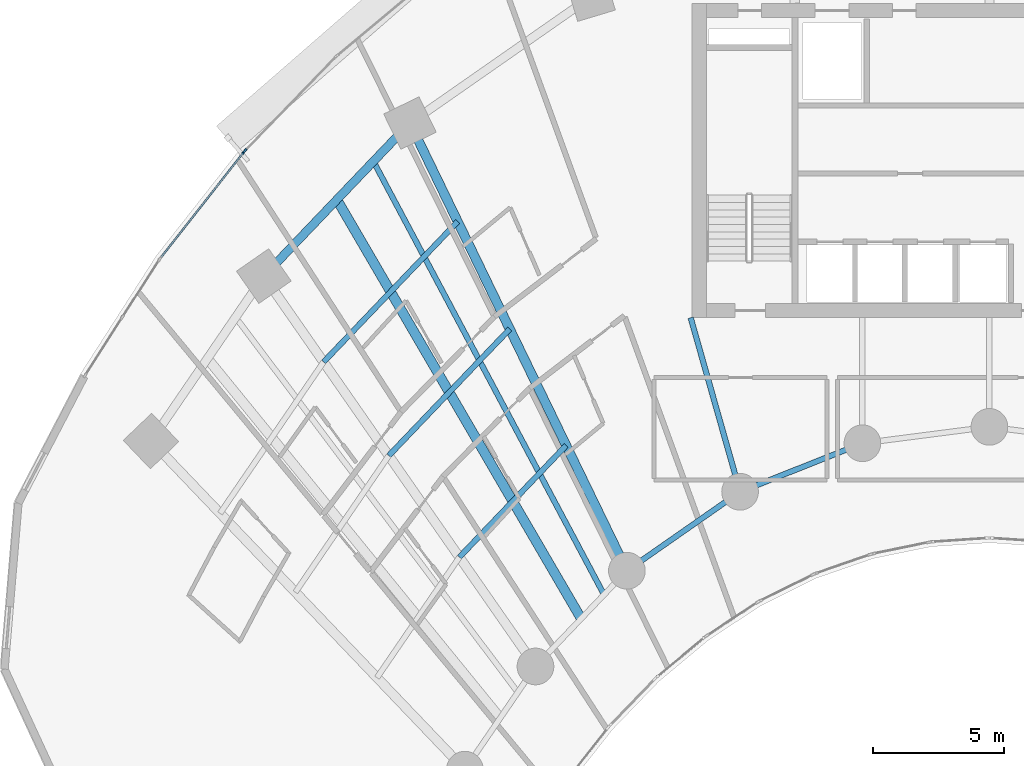
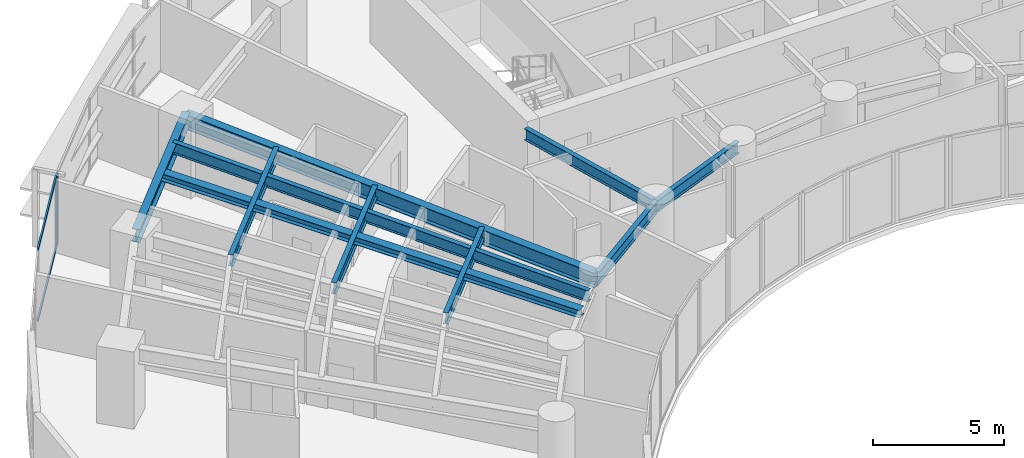
# One storey, part 3 of 18: 10 beams, 4 members, 2 elements without a shape of their own.
"""IFC4 building model written with IfcOpenShell, lengths in metres."""

import ifcopenshell
import ifcopenshell.guid

model = None  # the IFC model being written
_history = None  # IfcOwnerHistory: only IFC2X3 demands one
_inside = {}  # id of a spatial element -> (the spatial element, [elements in it])
_under = {}  # id of a project, library or spatial element -> (it, [spatial elements below it])
_declared = {}  # id of a project -> (the project, [libraries it declares])
_typed = {}  # id of a type object -> (the type object, [elements of that type])
_made_of = {}  # id of a material, layer set ... -> (it, [elements and type objects made of it])


def new_model(schema):
    """Start an empty IFC model of exactly this schema.

    Asked for "IFC4X3", IfcOpenShell would pick the latest addendum, in which some entities
    have other attributes; the version numbers below select the first issue.
    IFC2X3 requires an IfcOwnerHistory on every rooted entity: one is made here for all.
    """
    global model, _history
    if schema == "IFC4X3":
        model = ifcopenshell.file(schema_version=(4, 3, 0, 0))
    else:
        model = ifcopenshell.file(schema=schema)
    _inside.clear()
    _under.clear()
    _declared.clear()
    _typed.clear()
    _made_of.clear()
    _history = None
    if model.schema == "IFC2X3":
        org = make("IfcOrganization", Name="unknown")
        user = make(
            "IfcPersonAndOrganization",
            ThePerson=make("IfcPerson", FamilyName="unknown"),
            TheOrganization=org,
        )
        app = make(
            "IfcApplication",
            ApplicationDeveloper=org,
            Version="unknown",
            ApplicationFullName="unknown",
            ApplicationIdentifier="unknown",
        )
        _history = make(
            "IfcOwnerHistory",
            OwningUser=user,
            OwningApplication=app,
            ChangeAction="ADDED",
            CreationDate=0,
        )
    return model


def make(cls, **values):
    """One entity of the class cls with the attributes given. An attribute that is None is left unset."""
    return model.create_entity(
        cls, **{name: value for name, value in values.items() if value is not None}
    )


def rooted(cls, **values):
    """An entity with a GlobalId (a new one), such as an element, a storey or a relation."""
    return make(cls, GlobalId=ifcopenshell.guid.new(), OwnerHistory=_history, **values)


def si_unit(unit_type, name, prefix=None):
    """IfcSIUnit, for example si_unit("LENGTHUNIT", "METRE", prefix="MILLI")."""
    return make("IfcSIUnit", UnitType=unit_type, Prefix=prefix, Name=name)


def assignment(units):
    """IfcUnitAssignment: the units of a project."""
    return None if units is None else make("IfcUnitAssignment", Units=units)


def point(xyz):
    """IfcCartesianPoint."""
    return None if xyz is None else make("IfcCartesianPoint", Coordinates=xyz)


def direction(xyz):
    """IfcDirection."""
    return None if xyz is None else make("IfcDirection", DirectionRatios=xyz)


def frame(location, z_axis=None, x_axis=None):
    """IfcAxis2Placement3D, a coordinate frame: its origin and axes. An axis left out is left unset."""
    return make(
        "IfcAxis2Placement3D",
        Location=point(location),
        Axis=direction(z_axis),
        RefDirection=direction(x_axis),
    )


def frame_2d(location, x_axis=None):
    """IfcAxis2Placement2D, a coordinate frame in the plane: its origin and x axis."""
    return make(
        "IfcAxis2Placement2D", Location=point(location), RefDirection=direction(x_axis)
    )


def origin():
    """The frame at (0, 0, 0) with its axes left unset."""
    return frame((0.0, 0.0, 0.0))


def origin_2d():
    """The frame at (0, 0) in the plane with its x axis left unset."""
    return frame_2d((0.0, 0.0))


def place(relative_to, where):
    """IfcLocalPlacement: puts the frame where relative to a parent placement (None: the world)."""
    return make(
        "IfcLocalPlacement", PlacementRelTo=relative_to, RelativePlacement=where
    )


def context(
    kind, dimensions, precision=None, world=None, true_north=None, identifier=None
):
    """IfcGeometricRepresentationContext, for example the 3D "Model" context."""
    return make(
        "IfcGeometricRepresentationContext",
        ContextIdentifier=identifier,
        ContextType=kind,
        CoordinateSpaceDimension=dimensions,
        Precision=precision,
        WorldCoordinateSystem=world,
        TrueNorth=true_north,
    )


def subcontext(parent, identifier, kind, view, scale=None):
    """IfcGeometricRepresentationSubContext, for example "Body" below "Model"."""
    return make(
        "IfcGeometricRepresentationSubContext",
        ContextIdentifier=identifier,
        ContextType=kind,
        ParentContext=parent,
        TargetScale=scale,
        TargetView=view,
    )


def project(units=None, contexts=None):
    """IfcProject with its units and contexts."""
    return rooted(
        "IfcProject",
        Name="project",
        RepresentationContexts=contexts,
        UnitsInContext=assignment(units),
    )


def spatial(cls, under=None, at=None, **own):
    """A site, building, storey or space (cls), placed at a placement, below another one or the project."""
    s = rooted(cls, ObjectPlacement=at, **own)
    if under is not None:
        _under.setdefault(under.id(), (under, []))[1].append(s)
    return s


def profile(cls, at=None, kind="AREA", **sizes):
    """A parametric profile (cls). Its sizes go by their IFC names, for example OverallWidth=200.0."""
    return make(cls, ProfileType=kind, Position=at, **sizes)


def rectangle(**sizes):
    """IfcRectangleProfileDef."""
    return profile("IfcRectangleProfileDef", **sizes)


def i_section(**sizes):
    """IfcIShapeProfileDef."""
    return profile("IfcIShapeProfileDef", **sizes)


def extrude(swept, where, along, depth):
    """IfcExtrudedAreaSolid: the profile swept, set in the frame where, extruded along a direction by depth."""
    return make(
        "IfcExtrudedAreaSolid",
        SweptArea=swept,
        Position=where,
        ExtrudedDirection=direction(along),
        Depth=depth,
    )


def shape(context_of_items, identifier, shape_type, items):
    """IfcShapeRepresentation: the items that make up one representation, for example the "Body"."""
    return make(
        "IfcShapeRepresentation",
        ContextOfItems=context_of_items,
        RepresentationIdentifier=identifier,
        RepresentationType=shape_type,
        Items=items,
    )


def source(mapping_origin, context_of_items, identifier, shape_type, items):
    """IfcRepresentationMap: a shape defined once, which mapped items show again and again."""
    return make(
        "IfcRepresentationMap",
        MappingOrigin=mapping_origin,
        MappedRepresentation=shape(context_of_items, identifier, shape_type, items),
    )


def transform(
    local_origin,
    x_axis=None,
    y_axis=None,
    z_axis=None,
    scale=None,
    scale2=None,
    scale3=None,
    uniform=True,
):
    """IfcCartesianTransformationOperator3D, or its non-uniform kind. x_axis, y_axis, z_axis: its Axis1, 2, 3."""
    if uniform:
        return make(
            "IfcCartesianTransformationOperator3D",
            Axis1=direction(x_axis),
            Axis2=direction(y_axis),
            LocalOrigin=point(local_origin),
            Scale=scale,
            Axis3=direction(z_axis),
        )
    return make(
        "IfcCartesianTransformationOperator3DnonUniform",
        Axis1=direction(x_axis),
        Axis2=direction(y_axis),
        LocalOrigin=point(local_origin),
        Scale=scale,
        Axis3=direction(z_axis),
        Scale2=scale2,
        Scale3=scale3,
    )


def mapped(mapping_source, mapping_target):
    """IfcMappedItem: shows the shape of a source again, moved by a transform."""
    return make(
        "IfcMappedItem", MappingSource=mapping_source, MappingTarget=mapping_target
    )


def material(Name=None, Category=None):
    """IfcMaterial."""
    return make("IfcMaterial", Name=Name, Category=Category)


def layer(
    of_material, thickness, ventilated=None, Name=None, Category=None, Priority=None
):
    """IfcMaterialLayer: one layer of a wall or slab, of a material (None: an air gap)."""
    return make(
        "IfcMaterialLayer",
        Material=of_material,
        LayerThickness=thickness,
        IsVentilated=ventilated,
        Name=Name,
        Category=Category,
        Priority=Priority,
    )


def layer_set(layers, Name=None):
    """IfcMaterialLayerSet."""
    return make("IfcMaterialLayerSet", MaterialLayers=layers, LayerSetName=Name)


def material_profile(
    of_material, cross_section, Name=None, Category=None, Priority=None
):
    """IfcMaterialProfile: a cross section and its material."""
    return make(
        "IfcMaterialProfile",
        Name=Name,
        Material=of_material,
        Profile=cross_section,
        Priority=Priority,
        Category=Category,
    )


def profile_set(profiles, Name=None, composite=None):
    """IfcMaterialProfileSet."""
    return make(
        "IfcMaterialProfileSet",
        Name=Name,
        MaterialProfiles=profiles,
        CompositeProfile=composite,
    )


def made_of(thing, what):
    """Note that an element or type object is made of a material, layer set ...; save() writes the relation."""
    if what is not None:
        _made_of.setdefault(what.id(), (what, []))[1].append(thing)
    return thing


def type_object(cls, material=None, **own):
    """A type object (cls), such as IfcWallType, which elements share."""
    return made_of(rooted(cls, **own), material)


def type_shapes(of_type, sources):
    """Give a type object the sources (RepresentationMaps) that its elements show as mapped items."""
    of_type.RepresentationMaps = sources


def element(
    cls,
    number,
    at=None,
    inside=None,
    cuts=None,
    type_object=None,
    material=None,
    context=None,
    identifier="Body",
    shape_type=None,
    held_by="IfcProductDefinitionShape",
    body=None,
    shapes=None,
    **own,
):
    """One element of the class cls, such as IfcWall. Its Tag is "e" and its number.

    at: its placement. inside: the storey or other place that contains it. cuts: it is an
    opening in that element (IfcRelVoidsElement). A single representation is given by context,
    identifier, shape_type and body (its items); several are given by shapes. held_by: the class
    of the entity that holds the representations. save() writes the other relations.
    """
    e = rooted(cls, Tag="e%d" % number, ObjectPlacement=at, **own)
    if body is not None:
        shapes = [shape(context, identifier, shape_type, body)]
    if shapes is not None:
        e.Representation = make(held_by, Representations=shapes)
    if inside is not None:
        _inside.setdefault(inside.id(), (inside, []))[1].append(e)
    if cuts is not None:
        rooted(
            "IfcRelVoidsElement", RelatingBuildingElement=cuts, RelatedOpeningElement=e
        )
    if type_object is not None:
        _typed.setdefault(type_object.id(), (type_object, []))[1].append(e)
    return made_of(e, material)


def aggregate(whole, parts):
    """IfcRelAggregates: a whole, such as a stair, and the parts it consists of."""
    return rooted("IfcRelAggregates", RelatingObject=whole, RelatedObjects=parts)


def save(model, path):
    """Write the relations noted so far, then the file.

    IfcRelAggregates (storeys below a building ...), IfcRelContainedInSpatialStructure (elements
    in a storey), IfcRelDefinesByType, IfcRelAssociatesMaterial and IfcRelDeclares: one each for
    every whole, place, type object, material and project.
    """
    for whole, parts in _under.values():
        aggregate(whole, parts)
    for where, things in _inside.values():
        rooted(
            "IfcRelContainedInSpatialStructure",
            RelatedElements=things,
            RelatingStructure=where,
        )
    for kind, things in _typed.values():
        rooted("IfcRelDefinesByType", RelatedObjects=things, RelatingType=kind)
    for what, things in _made_of.values():
        rooted("IfcRelAssociatesMaterial", RelatedObjects=things, RelatingMaterial=what)
    for by, libraries in _declared.values():
        rooted("IfcRelDeclares", RelatingContext=by, RelatedDefinitions=libraries)
    model.write(path)


model = new_model("IFC4")

# Units and contexts
model_context = context("Model", 3, precision=1e-05, world=origin(), true_north=direction((0.0, 1.0)))
body_context = subcontext(model_context, "Body", "Model", "MODEL_VIEW")
ifc_project = project(units=[si_unit("LENGTHUNIT", "METRE"), si_unit("AREAUNIT", "SQUARE_METRE"), si_unit("VOLUMEUNIT", "CUBIC_METRE"), si_unit("PLANEANGLEUNIT", "RADIAN"), si_unit("MASSUNIT", "GRAM", prefix="KILO")], contexts=[model_context])

# Site, building, storey
site_placement = place(None, origin())
site = spatial("IfcSite", under=ifc_project, at=site_placement, CompositionType="ELEMENT")
building_placement = place(site_placement, origin())
building = spatial("IfcBuilding", under=site, at=building_placement, Name="Breltana Convention Tower", CompositionType="ELEMENT")
storey_placement = place(building_placement, frame((0.0, 0.0, 39.0)))
storey = spatial("IfcBuildingStorey", under=building, at=storey_placement, Name="L07", CompositionType="ELEMENT", Elevation=39.0)

# Beams
ifc_material_1 = material(Name="Steel ASTM A992 Grade 50", Category="steel")
ifc_material_profile_1 = material_profile(ifc_material_1, i_section(OverallWidth=0.323974609375, OverallDepth=0.611083984375, WebThickness=0.0126953125, FlangeThickness=0.01904296875, at=origin_2d()), Name="W24X104")
ifc_profile_set_1 = profile_set([ifc_material_profile_1], Name="Steel ASTM A992 Grade 50")
beam_type_1 = type_object("IfcBeamType", Name="BM-SP-W24X104", PredefinedType="SPANDREL", material=ifc_profile_set_1)
shared_shape_1 = source(origin(), body_context, "Body", "SweptSolid", [
    extrude(i_section(OverallWidth=0.323974609375, OverallDepth=0.611083984375, WebThickness=0.0126953125, FlangeThickness=0.01904296875, at=origin_2d()), origin(), (0.0, 0.0, 1.0), 8.073974609375),
])
beam_1_placement = place(storey_placement, frame((20.310791015625, 61.78857421875, 3.054443359375), z_axis=(0.69072885448, 0.723113856588, 0.0), x_axis=(-0.723113856588, 0.69072885448, 0.0)))
element("IfcBeam", 1, at=beam_1_placement, inside=storey, type_object=beam_type_1, Name="L07 Outer Spandrel Beam 02", PredefinedType="SPANDREL", context=body_context, shape_type="MappedRepresentation", body=[
    mapped(shared_shape_1, transform((0.0, 0.0, 0.0), scale=1.0)),
])
ifc_material_profile_2 = material_profile(ifc_material_1, i_section(OverallWidth=0.35498046875, OverallDepth=0.696044921875, WebThickness=0.015380859375, FlangeThickness=0.02490234375, at=origin_2d()), Name="W27X146")
ifc_profile_set_2 = profile_set([ifc_material_profile_2], Name="Steel ASTM A992 Grade 50")
beam_type_2 = type_object("IfcBeamType", Name="BM-RG-W27X146", PredefinedType="USERDEFINED", material=ifc_profile_set_2)
shared_shape_2 = source(origin(), body_context, "Body", "SweptSolid", [
    extrude(i_section(OverallWidth=0.35498046875, OverallDepth=0.696044921875, WebThickness=0.015380859375, FlangeThickness=0.02490234375, at=origin_2d()), origin(), (0.0, 0.0, 1.0), 18.982421875),
])
beam_2_placement = place(storey_placement, frame((34.166259765625, 50.544921875, 3.011962890625), z_axis=(-0.436118560343, 0.89988921614, 0.0), x_axis=(-0.89988921614, -0.436118560343, 0.0)))
element("IfcBeam", 2, at=beam_2_placement, inside=storey, type_object=beam_type_2, Name="L07 Radial Floor Girder R03", ObjectType="GIRDER", PredefinedType="USERDEFINED", context=body_context, shape_type="MappedRepresentation", body=[
    mapped(shared_shape_2, transform((0.0, 0.0, 0.0), scale=1.0)),
])
ifc_material_profile_3 = material_profile(ifc_material_1, i_section(OverallWidth=0.2099609375, OverallDepth=0.537109375, WebThickness=0.010986328125, FlangeThickness=0.017333984375, at=origin_2d()), Name="W21X68")
ifc_profile_set_3 = profile_set([ifc_material_profile_3], Name="Steel ASTM A992 Grade 50")
beam_type_3 = type_object("IfcBeamType", Name="BM-BM-W21X68", PredefinedType="BEAM", material=ifc_profile_set_3)
shared_shape_3 = source(origin(), body_context, "Body", "SweptSolid", [
    extrude(i_section(OverallWidth=0.2099609375, OverallDepth=0.537109375, WebThickness=0.010986328125, FlangeThickness=0.017333984375, at=origin_2d()), origin(), (0.0, 0.0, 1.0), 6.904541015625),
])
type_shapes(beam_type_3, [shared_shape_3])
beam_3_placement = place(storey_placement, frame((36.60009765625, 60.199951171875, 3.091552734375), z_axis=(0.273006781054, -0.962012108811, 0.0), x_axis=(0.962012108811, 0.273006781054, 0.0)))
element("IfcBeam", 3, at=beam_3_placement, inside=storey, type_object=beam_type_3, Name="L07 South Core Tie Girder R04", PredefinedType="BEAM", context=body_context, shape_type="MappedRepresentation", body=[
    mapped(shared_shape_3, transform((0.0, 0.0, 0.0), scale=1.0)),
])
shared_shape_4 = source(origin(), body_context, "Body", "SweptSolid", [
    extrude(i_section(OverallWidth=0.2099609375, OverallDepth=0.537109375, WebThickness=0.010986328125, FlangeThickness=0.017333984375, at=origin_2d()), origin(), (0.0, 0.0, 1.0), 5.265869140625),
])
beam_4_placement = place(storey_placement, frame((34.166259765625, 50.544921875, 3.091552734375), z_axis=(0.820167429517, 0.572123577176, 0.0), x_axis=(-0.572123577176, 0.820167429517, 0.0)))
element("IfcBeam", 4, at=beam_4_placement, inside=storey, type_object=beam_type_3, Name="L07 Inner Ring Beam 03", PredefinedType="BEAM", context=body_context, shape_type="MappedRepresentation", body=[
    mapped(shared_shape_4, transform((0.0, 0.0, 0.0), scale=1.0)),
])
shared_shape_5 = source(origin(), body_context, "Body", "SweptSolid", [
    extrude(i_section(OverallWidth=0.2099609375, OverallDepth=0.537109375, WebThickness=0.010986328125, FlangeThickness=0.017333984375, at=origin_2d()), origin(), (0.0, 0.0, 1.0), 5.022705078125),
])
beam_5_placement = place(storey_placement, frame((38.485107421875, 53.5576171875, 3.091552734375), z_axis=(0.929458966248, 0.368925507469, 0.0), x_axis=(-0.368925507469, 0.929458966248, 0.0)))
element("IfcBeam", 5, at=beam_5_placement, inside=storey, type_object=beam_type_3, Name="L07 Inner Ring Beam 04", PredefinedType="BEAM", context=body_context, shape_type="MappedRepresentation", body=[
    mapped(shared_shape_5, transform((0.0, 0.0, 0.0), scale=1.0)),
])
ifc_material_profile_4 = material_profile(ifc_material_1, i_section(OverallWidth=0.2099609375, OverallDepth=0.537109375, WebThickness=0.010986328125, FlangeThickness=0.017333984375, at=origin_2d()), Name="W21X68")
ifc_profile_set_4 = profile_set([ifc_material_profile_4], Name="Steel ASTM A992 Grade 50")
beam_type_4 = type_object("IfcBeamType", Name="BM-JSG-04", PredefinedType="JOIST", material=ifc_profile_set_4)
shared_shape_6 = source(origin(), body_context, "Body", "SweptSolid", [
    extrude(i_section(OverallWidth=0.2099609375, OverallDepth=0.537109375, WebThickness=0.010986328125, FlangeThickness=0.017333984375, at=origin_2d()), origin(), (0.0, 0.0, 1.0), 5.8974609375),
])
beam_6_placement = place(storey_placement, frame((27.774658203125, 51.063232421875, 3.091552734375), z_axis=(0.690713978666, 0.723128065888, 0.0), x_axis=(-0.723128065888, 0.690713978666, 0.0)))
element("IfcBeam", 6, at=beam_6_placement, inside=storey, type_object=beam_type_4, Name="L07 Composite Floor Joist 02.1", PredefinedType="JOIST", context=body_context, shape_type="MappedRepresentation", body=[
    mapped(shared_shape_6, transform((0.0, 0.0, 0.0), scale=1.0)),
])
shared_shape_7 = source(origin(), body_context, "Body", "SweptSolid", [
    extrude(i_section(OverallWidth=0.2099609375, OverallDepth=0.537109375, WebThickness=0.010986328125, FlangeThickness=0.017333984375, at=origin_2d()), origin(), (0.0, 0.0, 1.0), 6.68359375),
])
beam_7_placement = place(storey_placement, frame((25.079345703125, 54.936279296875, 3.091552734375), z_axis=(0.690720705885, 0.723121640156, 0.0), x_axis=(-0.723121640156, 0.690720705885, 0.0)))
element("IfcBeam", 7, at=beam_7_placement, inside=storey, type_object=beam_type_4, Name="L07 Composite Floor Joist 02.2", PredefinedType="JOIST", context=body_context, shape_type="MappedRepresentation", body=[
    mapped(shared_shape_7, transform((0.0, 0.0, 0.0), scale=1.0)),
])
shared_shape_8 = source(origin(), body_context, "Body", "SweptSolid", [
    extrude(i_section(OverallWidth=0.2099609375, OverallDepth=0.537109375, WebThickness=0.010986328125, FlangeThickness=0.017333984375, at=origin_2d()), origin(), (0.0, 0.0, 1.0), 7.40869140625),
])
beam_8_placement = place(storey_placement, frame((22.591552734375, 58.511474609375, 3.091552734375), z_axis=(0.690724936208, 0.723117599358, 0.0), x_axis=(-0.723117599358, 0.690724936208, 0.0)))
element("IfcBeam", 8, at=beam_8_placement, inside=storey, type_object=beam_type_4, Name="L07 Composite Floor Joist 02.3", PredefinedType="JOIST", context=body_context, shape_type="MappedRepresentation", body=[
    mapped(shared_shape_8, transform((0.0, 0.0, 0.0), scale=1.0)),
])
ifc_material_profile_5 = material_profile(ifc_material_1, i_section(OverallWidth=0.368896484375, OverallDepth=0.35595703125, WebThickness=0.01123046875, FlangeThickness=0.01806640625, at=origin_2d()), Name="W14X90")
ifc_profile_set_5 = profile_set([ifc_material_profile_5], Name="Steel ASTM A992 Grade 50")
beam_type_5 = type_object("IfcBeamType", Name="BM-JSG-09", PredefinedType="JOIST", material=ifc_profile_set_5)
shared_shape_9 = source(origin(), body_context, "Body", "SweptSolid", [
    extrude(i_section(OverallWidth=0.368896484375, OverallDepth=0.35595703125, WebThickness=0.01123046875, FlangeThickness=0.01806640625, at=origin_2d()), origin(), (0.0, 0.0, 1.0), 18.50830078125),
])
beam_9_placement = place(storey_placement, frame((32.421630859375, 48.71875, 3.181884765625), z_axis=(-0.50368319637, 0.863888440537, 0.0), x_axis=(-0.863888440537, -0.50368319637, 0.0)))
element("IfcBeam", 9, at=beam_9_placement, inside=storey, type_object=beam_type_5, Name="L07 Mid-Bay Radial Trimmer 02", PredefinedType="JOIST", context=body_context, shape_type="MappedRepresentation", body=[
    mapped(shared_shape_9, transform((0.0, 0.0, 0.0), scale=1.0)),
])
shared_shape_10 = source(origin(), body_context, "Body", "SweptSolid", [
    extrude(i_section(OverallWidth=0.2099609375, OverallDepth=0.537109375, WebThickness=0.010986328125, FlangeThickness=0.017333984375, at=origin_2d()), origin(), (0.0, 0.0, 1.0), 18.731689453125),
])
beam_10_placement = place(storey_placement, frame((33.2939453125, 49.6318359375, 3.091552734375), z_axis=(-0.469820250451, 0.882762104004, 0.0), x_axis=(-0.882762104004, -0.469820250451, 0.0)))
element("IfcBeam", 10, at=beam_10_placement, inside=storey, type_object=beam_type_4, Name="L07 Quarter-Bay Radial Trimmer 02", PredefinedType="JOIST", context=body_context, shape_type="MappedRepresentation", body=[
    mapped(shared_shape_10, transform((0.0, 0.0, 0.0), scale=1.0)),
])

# Curtain wall, member
ifc_material_2 = material(Name="Aluminium Anodised Bronze Frame", Category="aluminium")
ifc_layer = layer(ifc_material_2, 0.199951171875, Name="Aluminium Anodised Bronze Frame")
ifc_layer_set = layer_set([ifc_layer], Name="Aluminium Anodised Bronze Frame")
curtain_wall_type = type_object("IfcCurtainWallType", Name="CW-SYS-2", PredefinedType="NOTDEFINED", material=ifc_layer_set)
curtain_wall_1_placement = place(storey_placement, origin())
curtain_wall_1 = element("IfcCurtainWall", 11, at=curtain_wall_1_placement, inside=storey, type_object=curtain_wall_type, Name="L07 outer double-skin inner glazing 2", PredefinedType="NOTDEFINED")
ifc_material_3 = material(Name="Aluminium Anodised Bronze", Category="aluminium")
ifc_material_profile_6 = material_profile(ifc_material_3, rectangle(XDim=0.070068359375, YDim=0.175048828125, at=origin_2d()), Name="CWM-70X175")
ifc_profile_set_6 = profile_set([ifc_material_profile_6], Name="Aluminium Anodised Bronze")
member_type_1 = type_object("IfcMemberType", Name="CWM-175", PredefinedType="MULLION", material=ifc_profile_set_6)
shared_shape_11 = source(origin(), body_context, "Body", "SweptSolid", [
    extrude(rectangle(XDim=0.070068359375, YDim=0.175048828125, at=origin_2d()), origin(), (0.0, 0.0, 1.0), 3.360107421875),
])
type_shapes(member_type_1, [shared_shape_11])
member_1_placement = place(storey_placement, frame((19.545166015625, 66.518798828125, 0.0), z_axis=(0.0, 0.0, 1.0), x_axis=(-0.786057080698, 0.618153917633, 0.0)))
member_1 = element("IfcMember", 12, at=member_1_placement, type_object=member_type_1, Name="CW-02 mullion 2", PredefinedType="MULLION", context=body_context, shape_type="MappedRepresentation", body=[
    mapped(shared_shape_11, transform((0.0, 0.0, 0.0), scale=1.0)),
])

curtain_wall_2_placement = place(storey_placement, origin())
curtain_wall_2 = element("IfcCurtainWall", 13, at=curtain_wall_2_placement, inside=storey, type_object=curtain_wall_type, Name="L07 outer double-skin inner glazing 3", PredefinedType="NOTDEFINED")
member_2_placement = place(storey_placement, frame((19.591064453125, 66.571533203125, 0.0), z_axis=(0.0, 0.0, 1.0), x_axis=(-0.719386421003, 0.694610090106, 0.0)))
member_2 = element("IfcMember", 14, at=member_2_placement, type_object=member_type_1, Name="CW-02 mullion 1", PredefinedType="MULLION", context=body_context, shape_type="MappedRepresentation", body=[
    mapped(shared_shape_11, transform((0.0, 0.0, 0.0), scale=1.0)),
])
aggregate(curtain_wall_2, [member_2])

# Member
ifc_material_profile_7 = material_profile(ifc_material_3, rectangle(XDim=0.070068359375, YDim=0.1201171875, at=origin_2d()), Name="CWT-70X120")
ifc_profile_set_7 = profile_set([ifc_material_profile_7], Name="Aluminium Anodised Bronze")
member_type_2 = type_object("IfcMemberType", Name="CWT-120", PredefinedType="USERDEFINED", material=ifc_profile_set_7)
shared_shape_12 = source(origin(), body_context, "Body", "SweptSolid", [
    extrude(rectangle(XDim=0.070068359375, YDim=0.1201171875, at=origin_2d()), origin(), (0.0, 0.0, 1.0), 5.0546875),
])
member_3_placement = place(storey_placement, frame((16.39892578125, 62.51806640625, 0.034912109375), z_axis=(0.618135067667, 0.786071903913, 0.0), x_axis=(-0.786071903913, 0.618135067667, 0.0)))
member_3 = element("IfcMember", 15, at=member_3_placement, type_object=member_type_2, Name="CW-02 transom 1.1", ObjectType="TRANSOM", PredefinedType="USERDEFINED", context=body_context, shape_type="MappedRepresentation", body=[
    mapped(shared_shape_12, transform((0.0, 0.0, 0.0), scale=1.0)),
])

member_4_placement = place(storey_placement, frame((16.39892578125, 62.51806640625, 3.324951171875), z_axis=(0.618135067667, 0.786071903913, 0.0), x_axis=(-0.786071903913, 0.618135067667, 0.0)))
member_4 = element("IfcMember", 16, at=member_4_placement, type_object=member_type_2, Name="CW-02 transom 1.2", ObjectType="TRANSOM", PredefinedType="USERDEFINED", context=body_context, shape_type="MappedRepresentation", body=[
    mapped(shared_shape_12, transform((0.0, 0.0, 0.0), scale=1.0)),
])

aggregate(curtain_wall_1, [member_1, member_3, member_4])

save(model, "model.ifc")
